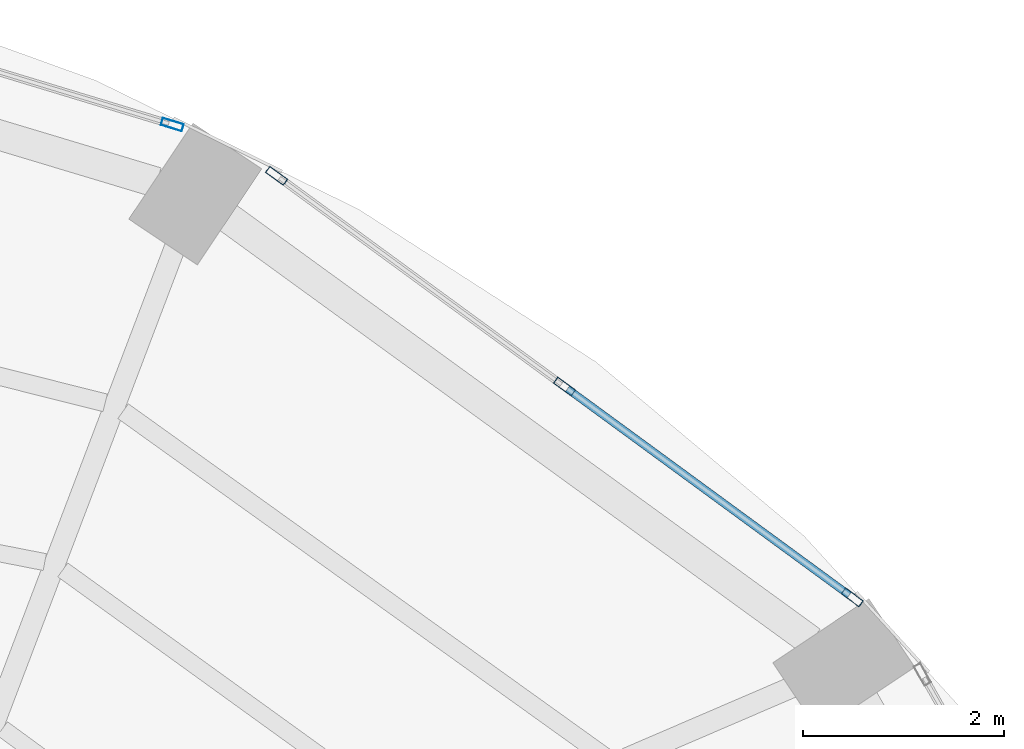
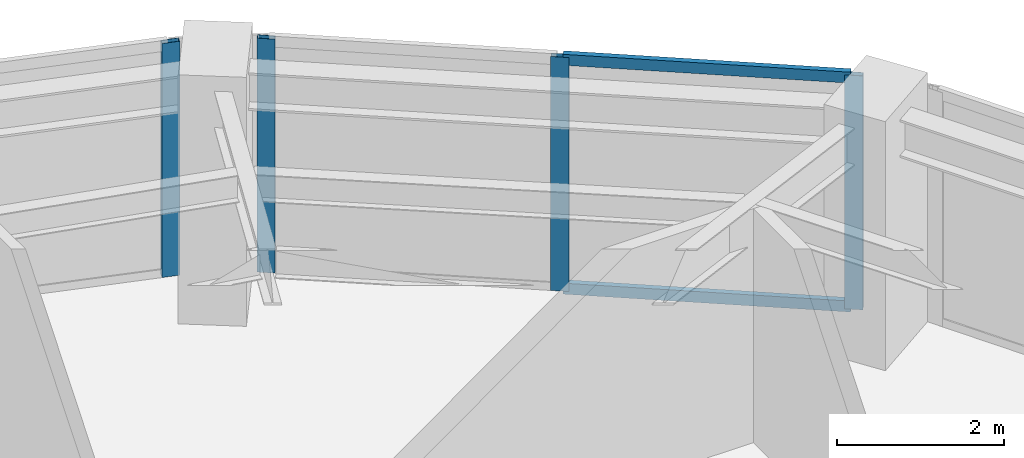
# One storey, part 14 of 20: 6 members, 2 elements without a shape of their own.
"""IFC4 building model written with IfcOpenShell, lengths in metres."""

from ifc_helpers import new_model, si_unit, direction, frame, origin, origin_2d, place, context, subcontext, project, spatial, hollow_rectangle, extrude, material, layer, layer_set, material_profile, profile_set, type_object, element, aggregate, save


model = new_model("IFC4")

# Units and contexts
model_context = context("Model", 3, precision=1e-05, world=origin(), true_north=direction((0.0, 1.0)))
body_context = subcontext(model_context, "Body", "Model", "MODEL_VIEW")
ifc_project = project(units=[si_unit("LENGTHUNIT", "METRE"), si_unit("AREAUNIT", "SQUARE_METRE"), si_unit("VOLUMEUNIT", "CUBIC_METRE"), si_unit("PLANEANGLEUNIT", "RADIAN"), si_unit("MASSUNIT", "GRAM", prefix="KILO")], contexts=[model_context])

# Site, building, storey
site_placement = place(None, origin())
site = spatial("IfcSite", under=ifc_project, at=site_placement, CompositionType="ELEMENT")
building_placement = place(site_placement, origin())
building = spatial("IfcBuilding", under=site, at=building_placement, Name="Lazwardi Medical Tower", CompositionType="ELEMENT")
storey_placement = place(building_placement, frame((0.0, 0.0, 149.23193359375)))
storey = spatial("IfcBuildingStorey", under=building, at=storey_placement, Name="L38", CompositionType="ELEMENT", Elevation=149.23193359375)

# Curtain wall, members
ifc_material_1 = material(Name="Anodised bronze aluminium and solar control glazing", Category="aluminium")
ifc_layer = layer(ifc_material_1, 0.195068359375)
ifc_layer_set = layer_set([ifc_layer], Name="Anodised bronze aluminium and solar control glazing")
curtain_wall_type = type_object("IfcCurtainWallType", Name="CW-SYS-03", PredefinedType="NOTDEFINED", material=ifc_layer_set)
curtain_wall_1_placement = place(storey_placement, origin())
curtain_wall_1 = element("IfcCurtainWall", 1, at=curtain_wall_1_placement, inside=storey, type_object=curtain_wall_type, Name="L38 Unitised bronze curtain wall CW-03", PredefinedType="NOTDEFINED")
ifc_material_2 = material(Name="Anodised bronze aluminium", Category="aluminium")
ifc_material_profile_1 = material_profile(ifc_material_2, hollow_rectangle(XDim=0.074951171875, YDim=0.219970703125, WallThickness=0.00390625, at=origin_2d()), Name="ALU-MULLION 220x75x4")
ifc_profile_set_1 = profile_set([ifc_material_profile_1], Name="Anodised bronze aluminium")
member_type_1 = type_object("IfcMemberType", Name="CW-MUL-01", PredefinedType="MULLION", material=ifc_profile_set_1)
member_1_placement = place(storey_placement, frame((55.519775390625, 40.5029296875, 0.0), z_axis=(0.0, 0.0, 1.0), x_axis=(-0.590833862635, -0.806793249082, 0.0)))
member_1 = element("IfcMember", 2, at=member_1_placement, type_object=member_type_1, Name="CW-03 mullion 1", PredefinedType="MULLION", context=body_context, shape_type="SweptSolid", body=[
    extrude(hollow_rectangle(XDim=0.074951171875, YDim=0.219970703125, WallThickness=0.00390625, at=origin_2d()), origin(), (0.0, 0.0, 1.0), 3.427978515625),
])
member_2_placement = place(storey_placement, frame((52.65771484375, 42.598876953125, 0.0), z_axis=(0.0, 0.0, 1.0), x_axis=(-0.590833862635, -0.806793249082, 0.0)))
member_2 = element("IfcMember", 3, at=member_2_placement, type_object=member_type_1, Name="CW-03 mullion 2", PredefinedType="MULLION", context=body_context, shape_type="SweptSolid", body=[
    extrude(hollow_rectangle(XDim=0.074951171875, YDim=0.219970703125, WallThickness=0.00390625, at=origin_2d()), origin(), (0.0, 0.0, 1.0), 3.427978515625),
])
member_3_placement = place(storey_placement, frame((49.795654296875, 44.69482421875, 0.0), z_axis=(0.0, 0.0, 1.0), x_axis=(-0.590833862635, -0.806793249082, 0.0)))
member_3 = element("IfcMember", 4, at=member_3_placement, type_object=member_type_1, Name="CW-03 mullion 3", PredefinedType="MULLION", context=body_context, shape_type="SweptSolid", body=[
    extrude(hollow_rectangle(XDim=0.074951171875, YDim=0.219970703125, WallThickness=0.00390625, at=origin_2d()), origin(), (0.0, 0.0, 1.0), 3.427978515625),
])

# Curtain wall, member
curtain_wall_2_placement = place(storey_placement, origin())
curtain_wall_2 = element("IfcCurtainWall", 5, at=curtain_wall_2_placement, inside=storey, type_object=curtain_wall_type, Name="L38 Unitised bronze curtain wall CW-03", PredefinedType="NOTDEFINED")
member_4_placement = place(storey_placement, frame((48.758056640625, 45.203369140625, 0.0), z_axis=(0.0, 0.0, 1.0), x_axis=(-0.290280785441, -0.956941516292, 0.0)))
member_4 = element("IfcMember", 6, at=member_4_placement, type_object=member_type_1, Name="CW-03 mullion 1", PredefinedType="MULLION", context=body_context, shape_type="SweptSolid", body=[
    extrude(hollow_rectangle(XDim=0.074951171875, YDim=0.219970703125, WallThickness=0.00390625, at=origin_2d()), origin(), (0.0, 0.0, 1.0), 3.427978515625),
])
aggregate(curtain_wall_2, [member_4])

# Member
ifc_material_profile_2 = material_profile(ifc_material_2, hollow_rectangle(XDim=0.074951171875, YDim=0.159912109375, WallThickness=0.00390625, at=origin_2d()), Name="ALU-TRANSOM 160x75x4")
ifc_profile_set_2 = profile_set([ifc_material_profile_2], Name="Anodised bronze aluminium")
member_type_2 = type_object("IfcMemberType", Name="CW-TRN-01", PredefinedType="USERDEFINED", material=ifc_profile_set_2)
member_5_placement = place(storey_placement, frame((55.489501953125, 40.525146484375, 0.03759765625), z_axis=(-0.806807161185, 0.590814864962, 0.0), x_axis=(-0.590814864962, -0.806807161185, 0.0)))
member_5 = element("IfcMember", 7, at=member_5_placement, type_object=member_type_2, Name="CW-03 transom 1.1", ObjectType="TRANSOM", PredefinedType="USERDEFINED", context=body_context, shape_type="SweptSolid", body=[
    extrude(hollow_rectangle(XDim=0.074951171875, YDim=0.159912109375, WallThickness=0.00390625, at=origin_2d()), origin(), (0.0, 0.0, 1.0), 3.472412109375),
])

member_6_placement = place(storey_placement, frame((55.489501953125, 40.525146484375, 3.390625), z_axis=(-0.806807161185, 0.590814864962, 0.0), x_axis=(-0.590814864962, -0.806807161185, 0.0)))
member_6 = element("IfcMember", 8, at=member_6_placement, type_object=member_type_2, Name="CW-03 transom 1.2", ObjectType="TRANSOM", PredefinedType="USERDEFINED", context=body_context, shape_type="SweptSolid", body=[
    extrude(hollow_rectangle(XDim=0.074951171875, YDim=0.159912109375, WallThickness=0.00390625, at=origin_2d()), origin(), (0.0, 0.0, 1.0), 3.472412109375),
])

aggregate(curtain_wall_1, [member_1, member_2, member_3, member_5, member_6])

save(model, "model.ifc")
